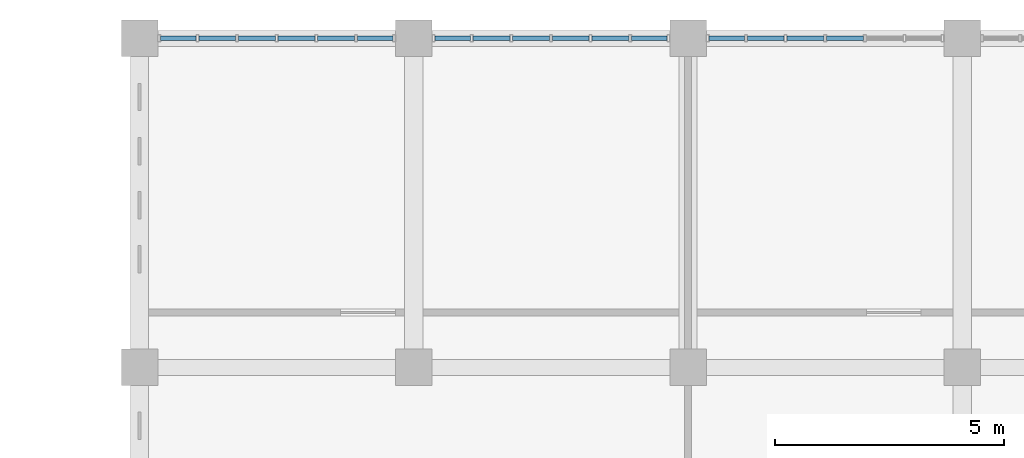
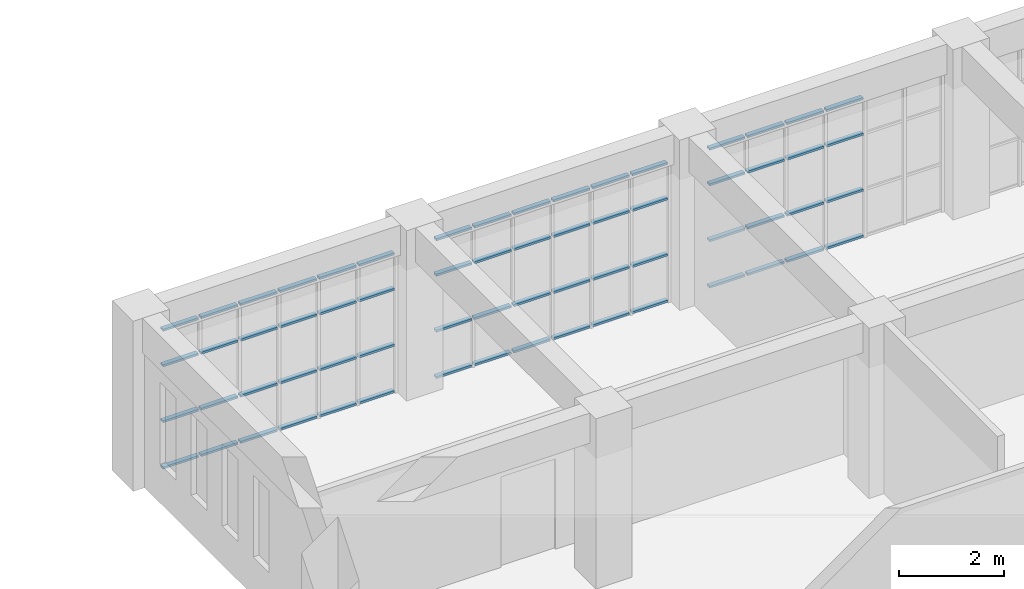
# One storey, part 27 of 51: 64 members, 3 elements without a shape of their own.
"""IFC4 building model written with IfcOpenShell, lengths in metres."""

from ifc_helpers import new_model, si_unit, direction, frame, origin, origin_2d, place, context, subcontext, project, spatial, hollow_rectangle, extrude, material, material_profile, profile_set, type_object, element, aggregate, save


model = new_model("IFC4")

# Units and contexts
model_context = context("Model", 3, precision=1e-05, world=origin(), true_north=direction((0.0, 1.0)))
body_context = subcontext(model_context, "Body", "Model", "MODEL_VIEW")
ifc_project = project(units=[si_unit("LENGTHUNIT", "METRE"), si_unit("AREAUNIT", "SQUARE_METRE"), si_unit("VOLUMEUNIT", "CUBIC_METRE"), si_unit("PLANEANGLEUNIT", "RADIAN"), si_unit("MASSUNIT", "GRAM", prefix="KILO")], contexts=[model_context])

# Site, building, storey
site_placement = place(None, origin())
site = spatial("IfcSite", under=ifc_project, at=site_placement, CompositionType="ELEMENT")
building_placement = place(site_placement, origin())
building = spatial("IfcBuilding", under=site, at=building_placement, Name="Laocheng Heights Fire and Rescue Headquarters", CompositionType="ELEMENT")
storey_placement = place(building_placement, frame((0.0, 0.0, 21.0)))
storey = spatial("IfcBuildingStorey", under=building, at=storey_placement, Name="L05", CompositionType="ELEMENT", Elevation=21.0)

# Curtain wall, members
ifc_material_1 = material(Name="Dark anodised aluminium unitised curtain wall, low-e double glazing", Category="aluminium")
curtain_wall_type = type_object("IfcCurtainWallType", Name="CW 5200 x 3250 HQ NORTH GLAZING", PredefinedType="NOTDEFINED", material=ifc_material_1)
curtain_wall_1_placement = place(storey_placement, origin())
curtain_wall_1 = element("IfcCurtainWall", 1, at=curtain_wall_1_placement, inside=storey, type_object=curtain_wall_type, Name="X26-X HQ NORTH L05", PredefinedType="NOTDEFINED")
ifc_material_2 = material(Name="Dark anodised aluminium 6063-T5 extrusion", Category="aluminium")
ifc_material_profile = material_profile(ifc_material_2, hollow_rectangle(XDim=0.10009765625, YDim=0.050048828125, WallThickness=0.0029296875, at=origin_2d()), Name="AL TRANSOM 100x50x3 HQ NORTH GLAZING")
ifc_profile_set = profile_set([ifc_material_profile], Name="Dark anodised aluminium 6063-T5 extrusion")
member_type = type_object("IfcMemberType", Name="AL TRANSOM 100x50x3 HQ NORTH GLAZING", PredefinedType="USERDEFINED", material=ifc_profile_set)
member_1_placement = place(storey_placement, frame((36.4599609375, 72.0, 0.02490234375), z_axis=(1.0, 0.0, 0.0), x_axis=(0.0, 1.0, 0.0)))
member_1 = element("IfcMember", 2, at=member_1_placement, type_object=member_type, Name="X26-X transom 1.1", ObjectType="TRANSOM", PredefinedType="USERDEFINED", context=body_context, shape_type="SweptSolid", body=[
    extrude(hollow_rectangle(XDim=0.10009765625, YDim=0.050048828125, WallThickness=0.0029296875, at=origin_2d()), origin(), (0.0, 0.0, 1.0), 0.776611328125),
])
member_2_placement = place(storey_placement, frame((36.4599609375, 72.0, 1.10009765625), z_axis=(1.0, 0.0, 0.0), x_axis=(0.0, 1.0, 0.0)))
member_2 = element("IfcMember", 3, at=member_2_placement, type_object=member_type, Name="X26-X transom 1.2", ObjectType="TRANSOM", PredefinedType="USERDEFINED", context=body_context, shape_type="SweptSolid", body=[
    extrude(hollow_rectangle(XDim=0.10009765625, YDim=0.050048828125, WallThickness=0.0029296875, at=origin_2d()), origin(), (0.0, 0.0, 1.0), 0.776611328125),
])
member_3_placement = place(storey_placement, frame((36.4599609375, 72.0, 2.39990234375), z_axis=(1.0, 0.0, 0.0), x_axis=(0.0, 1.0, 0.0)))
member_3 = element("IfcMember", 4, at=member_3_placement, type_object=member_type, Name="X26-X transom 1.3", ObjectType="TRANSOM", PredefinedType="USERDEFINED", context=body_context, shape_type="SweptSolid", body=[
    extrude(hollow_rectangle(XDim=0.10009765625, YDim=0.050048828125, WallThickness=0.0029296875, at=origin_2d()), origin(), (0.0, 0.0, 1.0), 0.776611328125),
])
member_4_placement = place(storey_placement, frame((36.4599609375, 72.0, 3.22509765625), z_axis=(1.0, 0.0, 0.0), x_axis=(0.0, 1.0, 0.0)))
member_4 = element("IfcMember", 5, at=member_4_placement, type_object=member_type, Name="X26-X transom 1.4", ObjectType="TRANSOM", PredefinedType="USERDEFINED", context=body_context, shape_type="SweptSolid", body=[
    extrude(hollow_rectangle(XDim=0.10009765625, YDim=0.050048828125, WallThickness=0.0029296875, at=origin_2d()), origin(), (0.0, 0.0, 1.0), 0.776611328125),
])
member_5_placement = place(storey_placement, frame((37.296630859375, 72.0, 0.02490234375), z_axis=(1.0, 0.0, 0.0), x_axis=(0.0, 1.0, 0.0)))
member_5 = element("IfcMember", 6, at=member_5_placement, type_object=member_type, Name="X26-X transom 2.1", ObjectType="TRANSOM", PredefinedType="USERDEFINED", context=body_context, shape_type="SweptSolid", body=[
    extrude(hollow_rectangle(XDim=0.10009765625, YDim=0.050048828125, WallThickness=0.0029296875, at=origin_2d()), origin(), (0.0, 0.0, 1.0), 0.806640625),
])
member_6_placement = place(storey_placement, frame((37.296630859375, 72.0, 1.10009765625), z_axis=(1.0, 0.0, 0.0), x_axis=(0.0, 1.0, 0.0)))
member_6 = element("IfcMember", 7, at=member_6_placement, type_object=member_type, Name="X26-X transom 2.2", ObjectType="TRANSOM", PredefinedType="USERDEFINED", context=body_context, shape_type="SweptSolid", body=[
    extrude(hollow_rectangle(XDim=0.10009765625, YDim=0.050048828125, WallThickness=0.0029296875, at=origin_2d()), origin(), (0.0, 0.0, 1.0), 0.806640625),
])
member_7_placement = place(storey_placement, frame((37.296630859375, 72.0, 2.39990234375), z_axis=(1.0, 0.0, 0.0), x_axis=(0.0, 1.0, 0.0)))
member_7 = element("IfcMember", 8, at=member_7_placement, type_object=member_type, Name="X26-X transom 2.3", ObjectType="TRANSOM", PredefinedType="USERDEFINED", context=body_context, shape_type="SweptSolid", body=[
    extrude(hollow_rectangle(XDim=0.10009765625, YDim=0.050048828125, WallThickness=0.0029296875, at=origin_2d()), origin(), (0.0, 0.0, 1.0), 0.806640625),
])
member_8_placement = place(storey_placement, frame((37.296630859375, 72.0, 3.22509765625), z_axis=(1.0, 0.0, 0.0), x_axis=(0.0, 1.0, 0.0)))
member_8 = element("IfcMember", 9, at=member_8_placement, type_object=member_type, Name="X26-X transom 2.4", ObjectType="TRANSOM", PredefinedType="USERDEFINED", context=body_context, shape_type="SweptSolid", body=[
    extrude(hollow_rectangle(XDim=0.10009765625, YDim=0.050048828125, WallThickness=0.0029296875, at=origin_2d()), origin(), (0.0, 0.0, 1.0), 0.806640625),
])
member_9_placement = place(storey_placement, frame((38.163330078125, 72.0, 0.02490234375), z_axis=(1.0, 0.0, 0.0), x_axis=(0.0, 1.0, 0.0)))
member_9 = element("IfcMember", 10, at=member_9_placement, type_object=member_type, Name="X26-X transom 3.1", ObjectType="TRANSOM", PredefinedType="USERDEFINED", context=body_context, shape_type="SweptSolid", body=[
    extrude(hollow_rectangle(XDim=0.10009765625, YDim=0.050048828125, WallThickness=0.0029296875, at=origin_2d()), origin(), (0.0, 0.0, 1.0), 0.806640625),
])
member_10_placement = place(storey_placement, frame((38.163330078125, 72.0, 1.10009765625), z_axis=(1.0, 0.0, 0.0), x_axis=(0.0, 1.0, 0.0)))
member_10 = element("IfcMember", 11, at=member_10_placement, type_object=member_type, Name="X26-X transom 3.2", ObjectType="TRANSOM", PredefinedType="USERDEFINED", context=body_context, shape_type="SweptSolid", body=[
    extrude(hollow_rectangle(XDim=0.10009765625, YDim=0.050048828125, WallThickness=0.0029296875, at=origin_2d()), origin(), (0.0, 0.0, 1.0), 0.806640625),
])
member_11_placement = place(storey_placement, frame((38.163330078125, 72.0, 2.39990234375), z_axis=(1.0, 0.0, 0.0), x_axis=(0.0, 1.0, 0.0)))
member_11 = element("IfcMember", 12, at=member_11_placement, type_object=member_type, Name="X26-X transom 3.3", ObjectType="TRANSOM", PredefinedType="USERDEFINED", context=body_context, shape_type="SweptSolid", body=[
    extrude(hollow_rectangle(XDim=0.10009765625, YDim=0.050048828125, WallThickness=0.0029296875, at=origin_2d()), origin(), (0.0, 0.0, 1.0), 0.806640625),
])
member_12_placement = place(storey_placement, frame((38.163330078125, 72.0, 3.22509765625), z_axis=(1.0, 0.0, 0.0), x_axis=(0.0, 1.0, 0.0)))
member_12 = element("IfcMember", 13, at=member_12_placement, type_object=member_type, Name="X26-X transom 3.4", ObjectType="TRANSOM", PredefinedType="USERDEFINED", context=body_context, shape_type="SweptSolid", body=[
    extrude(hollow_rectangle(XDim=0.10009765625, YDim=0.050048828125, WallThickness=0.0029296875, at=origin_2d()), origin(), (0.0, 0.0, 1.0), 0.806640625),
])
member_13_placement = place(storey_placement, frame((39.030029296875, 72.0, 0.02490234375), z_axis=(1.0, 0.0, 0.0), x_axis=(0.0, 1.0, 0.0)))
member_13 = element("IfcMember", 14, at=member_13_placement, type_object=member_type, Name="X26-X transom 4.1", ObjectType="TRANSOM", PredefinedType="USERDEFINED", context=body_context, shape_type="SweptSolid", body=[
    extrude(hollow_rectangle(XDim=0.10009765625, YDim=0.050048828125, WallThickness=0.0029296875, at=origin_2d()), origin(), (0.0, 0.0, 1.0), 0.806640625),
])
member_14_placement = place(storey_placement, frame((39.030029296875, 72.0, 1.10009765625), z_axis=(1.0, 0.0, 0.0), x_axis=(0.0, 1.0, 0.0)))
member_14 = element("IfcMember", 15, at=member_14_placement, type_object=member_type, Name="X26-X transom 4.2", ObjectType="TRANSOM", PredefinedType="USERDEFINED", context=body_context, shape_type="SweptSolid", body=[
    extrude(hollow_rectangle(XDim=0.10009765625, YDim=0.050048828125, WallThickness=0.0029296875, at=origin_2d()), origin(), (0.0, 0.0, 1.0), 0.806640625),
])
member_15_placement = place(storey_placement, frame((39.030029296875, 72.0, 2.39990234375), z_axis=(1.0, 0.0, 0.0), x_axis=(0.0, 1.0, 0.0)))
member_15 = element("IfcMember", 16, at=member_15_placement, type_object=member_type, Name="X26-X transom 4.3", ObjectType="TRANSOM", PredefinedType="USERDEFINED", context=body_context, shape_type="SweptSolid", body=[
    extrude(hollow_rectangle(XDim=0.10009765625, YDim=0.050048828125, WallThickness=0.0029296875, at=origin_2d()), origin(), (0.0, 0.0, 1.0), 0.806640625),
])
member_16_placement = place(storey_placement, frame((39.030029296875, 72.0, 3.22509765625), z_axis=(1.0, 0.0, 0.0), x_axis=(0.0, 1.0, 0.0)))
member_16 = element("IfcMember", 17, at=member_16_placement, type_object=member_type, Name="X26-X transom 4.4", ObjectType="TRANSOM", PredefinedType="USERDEFINED", context=body_context, shape_type="SweptSolid", body=[
    extrude(hollow_rectangle(XDim=0.10009765625, YDim=0.050048828125, WallThickness=0.0029296875, at=origin_2d()), origin(), (0.0, 0.0, 1.0), 0.806640625),
])
member_17_placement = place(storey_placement, frame((39.896728515625, 72.0, 0.02490234375), z_axis=(1.0, 0.0, 0.0), x_axis=(0.0, 1.0, 0.0)))
member_17 = element("IfcMember", 18, at=member_17_placement, type_object=member_type, Name="X26-X transom 5.1", ObjectType="TRANSOM", PredefinedType="USERDEFINED", context=body_context, shape_type="SweptSolid", body=[
    extrude(hollow_rectangle(XDim=0.10009765625, YDim=0.050048828125, WallThickness=0.0029296875, at=origin_2d()), origin(), (0.0, 0.0, 1.0), 0.806640625),
])
member_18_placement = place(storey_placement, frame((39.896728515625, 72.0, 1.10009765625), z_axis=(1.0, 0.0, 0.0), x_axis=(0.0, 1.0, 0.0)))
member_18 = element("IfcMember", 19, at=member_18_placement, type_object=member_type, Name="X26-X transom 5.2", ObjectType="TRANSOM", PredefinedType="USERDEFINED", context=body_context, shape_type="SweptSolid", body=[
    extrude(hollow_rectangle(XDim=0.10009765625, YDim=0.050048828125, WallThickness=0.0029296875, at=origin_2d()), origin(), (0.0, 0.0, 1.0), 0.806640625),
])
member_19_placement = place(storey_placement, frame((39.896728515625, 72.0, 2.39990234375), z_axis=(1.0, 0.0, 0.0), x_axis=(0.0, 1.0, 0.0)))
member_19 = element("IfcMember", 20, at=member_19_placement, type_object=member_type, Name="X26-X transom 5.3", ObjectType="TRANSOM", PredefinedType="USERDEFINED", context=body_context, shape_type="SweptSolid", body=[
    extrude(hollow_rectangle(XDim=0.10009765625, YDim=0.050048828125, WallThickness=0.0029296875, at=origin_2d()), origin(), (0.0, 0.0, 1.0), 0.806640625),
])
member_20_placement = place(storey_placement, frame((39.896728515625, 72.0, 3.22509765625), z_axis=(1.0, 0.0, 0.0), x_axis=(0.0, 1.0, 0.0)))
member_20 = element("IfcMember", 21, at=member_20_placement, type_object=member_type, Name="X26-X transom 5.4", ObjectType="TRANSOM", PredefinedType="USERDEFINED", context=body_context, shape_type="SweptSolid", body=[
    extrude(hollow_rectangle(XDim=0.10009765625, YDim=0.050048828125, WallThickness=0.0029296875, at=origin_2d()), origin(), (0.0, 0.0, 1.0), 0.806640625),
])
member_21_placement = place(storey_placement, frame((40.763427734375, 72.0, 0.02490234375), z_axis=(1.0, 0.0, 0.0), x_axis=(0.0, 1.0, 0.0)))
member_21 = element("IfcMember", 22, at=member_21_placement, type_object=member_type, Name="X26-X transom 6.1", ObjectType="TRANSOM", PredefinedType="USERDEFINED", context=body_context, shape_type="SweptSolid", body=[
    extrude(hollow_rectangle(XDim=0.10009765625, YDim=0.050048828125, WallThickness=0.0029296875, at=origin_2d()), origin(), (0.0, 0.0, 1.0), 0.776611328125),
])
member_22_placement = place(storey_placement, frame((40.763427734375, 72.0, 1.10009765625), z_axis=(1.0, 0.0, 0.0), x_axis=(0.0, 1.0, 0.0)))
member_22 = element("IfcMember", 23, at=member_22_placement, type_object=member_type, Name="X26-X transom 6.2", ObjectType="TRANSOM", PredefinedType="USERDEFINED", context=body_context, shape_type="SweptSolid", body=[
    extrude(hollow_rectangle(XDim=0.10009765625, YDim=0.050048828125, WallThickness=0.0029296875, at=origin_2d()), origin(), (0.0, 0.0, 1.0), 0.776611328125),
])
member_23_placement = place(storey_placement, frame((40.763427734375, 72.0, 2.39990234375), z_axis=(1.0, 0.0, 0.0), x_axis=(0.0, 1.0, 0.0)))
member_23 = element("IfcMember", 24, at=member_23_placement, type_object=member_type, Name="X26-X transom 6.3", ObjectType="TRANSOM", PredefinedType="USERDEFINED", context=body_context, shape_type="SweptSolid", body=[
    extrude(hollow_rectangle(XDim=0.10009765625, YDim=0.050048828125, WallThickness=0.0029296875, at=origin_2d()), origin(), (0.0, 0.0, 1.0), 0.776611328125),
])
member_24_placement = place(storey_placement, frame((40.763427734375, 72.0, 3.22509765625), z_axis=(1.0, 0.0, 0.0), x_axis=(0.0, 1.0, 0.0)))
member_24 = element("IfcMember", 25, at=member_24_placement, type_object=member_type, Name="X26-X transom 6.4", ObjectType="TRANSOM", PredefinedType="USERDEFINED", context=body_context, shape_type="SweptSolid", body=[
    extrude(hollow_rectangle(XDim=0.10009765625, YDim=0.050048828125, WallThickness=0.0029296875, at=origin_2d()), origin(), (0.0, 0.0, 1.0), 0.776611328125),
])
aggregate(curtain_wall_1, [member_1, member_2, member_3, member_4, member_5, member_6, member_7, member_8, member_9, member_10, member_11, member_12, member_13, member_14, member_15, member_16, member_17, member_18, member_19, member_20, member_21, member_22, member_23, member_24])

curtain_wall_2_placement = place(storey_placement, origin())
curtain_wall_2 = element("IfcCurtainWall", 26, at=curtain_wall_2_placement, inside=storey, type_object=curtain_wall_type, Name="X26-X HQ NORTH L05", PredefinedType="NOTDEFINED")
member_25_placement = place(storey_placement, frame((42.4599609375, 72.0, 0.02490234375), z_axis=(1.0, 0.0, 0.0), x_axis=(0.0, 1.0, 0.0)))
member_25 = element("IfcMember", 27, at=member_25_placement, type_object=member_type, Name="X26-X transom 1.1", ObjectType="TRANSOM", PredefinedType="USERDEFINED", context=body_context, shape_type="SweptSolid", body=[
    extrude(hollow_rectangle(XDim=0.10009765625, YDim=0.050048828125, WallThickness=0.0029296875, at=origin_2d()), origin(), (0.0, 0.0, 1.0), 0.776611328125),
])
member_26_placement = place(storey_placement, frame((42.4599609375, 72.0, 1.10009765625), z_axis=(1.0, 0.0, 0.0), x_axis=(0.0, 1.0, 0.0)))
member_26 = element("IfcMember", 28, at=member_26_placement, type_object=member_type, Name="X26-X transom 1.2", ObjectType="TRANSOM", PredefinedType="USERDEFINED", context=body_context, shape_type="SweptSolid", body=[
    extrude(hollow_rectangle(XDim=0.10009765625, YDim=0.050048828125, WallThickness=0.0029296875, at=origin_2d()), origin(), (0.0, 0.0, 1.0), 0.776611328125),
])
member_27_placement = place(storey_placement, frame((42.4599609375, 72.0, 2.39990234375), z_axis=(1.0, 0.0, 0.0), x_axis=(0.0, 1.0, 0.0)))
member_27 = element("IfcMember", 29, at=member_27_placement, type_object=member_type, Name="X26-X transom 1.3", ObjectType="TRANSOM", PredefinedType="USERDEFINED", context=body_context, shape_type="SweptSolid", body=[
    extrude(hollow_rectangle(XDim=0.10009765625, YDim=0.050048828125, WallThickness=0.0029296875, at=origin_2d()), origin(), (0.0, 0.0, 1.0), 0.776611328125),
])
member_28_placement = place(storey_placement, frame((42.4599609375, 72.0, 3.22509765625), z_axis=(1.0, 0.0, 0.0), x_axis=(0.0, 1.0, 0.0)))
member_28 = element("IfcMember", 30, at=member_28_placement, type_object=member_type, Name="X26-X transom 1.4", ObjectType="TRANSOM", PredefinedType="USERDEFINED", context=body_context, shape_type="SweptSolid", body=[
    extrude(hollow_rectangle(XDim=0.10009765625, YDim=0.050048828125, WallThickness=0.0029296875, at=origin_2d()), origin(), (0.0, 0.0, 1.0), 0.776611328125),
])
member_29_placement = place(storey_placement, frame((43.296630859375, 72.0, 0.02490234375), z_axis=(1.0, 0.0, 0.0), x_axis=(0.0, 1.0, 0.0)))
member_29 = element("IfcMember", 31, at=member_29_placement, type_object=member_type, Name="X26-X transom 2.1", ObjectType="TRANSOM", PredefinedType="USERDEFINED", context=body_context, shape_type="SweptSolid", body=[
    extrude(hollow_rectangle(XDim=0.10009765625, YDim=0.050048828125, WallThickness=0.0029296875, at=origin_2d()), origin(), (0.0, 0.0, 1.0), 0.806640625),
])
member_30_placement = place(storey_placement, frame((43.296630859375, 72.0, 1.10009765625), z_axis=(1.0, 0.0, 0.0), x_axis=(0.0, 1.0, 0.0)))
member_30 = element("IfcMember", 32, at=member_30_placement, type_object=member_type, Name="X26-X transom 2.2", ObjectType="TRANSOM", PredefinedType="USERDEFINED", context=body_context, shape_type="SweptSolid", body=[
    extrude(hollow_rectangle(XDim=0.10009765625, YDim=0.050048828125, WallThickness=0.0029296875, at=origin_2d()), origin(), (0.0, 0.0, 1.0), 0.806640625),
])
member_31_placement = place(storey_placement, frame((43.296630859375, 72.0, 2.39990234375), z_axis=(1.0, 0.0, 0.0), x_axis=(0.0, 1.0, 0.0)))
member_31 = element("IfcMember", 33, at=member_31_placement, type_object=member_type, Name="X26-X transom 2.3", ObjectType="TRANSOM", PredefinedType="USERDEFINED", context=body_context, shape_type="SweptSolid", body=[
    extrude(hollow_rectangle(XDim=0.10009765625, YDim=0.050048828125, WallThickness=0.0029296875, at=origin_2d()), origin(), (0.0, 0.0, 1.0), 0.806640625),
])
member_32_placement = place(storey_placement, frame((43.296630859375, 72.0, 3.22509765625), z_axis=(1.0, 0.0, 0.0), x_axis=(0.0, 1.0, 0.0)))
member_32 = element("IfcMember", 34, at=member_32_placement, type_object=member_type, Name="X26-X transom 2.4", ObjectType="TRANSOM", PredefinedType="USERDEFINED", context=body_context, shape_type="SweptSolid", body=[
    extrude(hollow_rectangle(XDim=0.10009765625, YDim=0.050048828125, WallThickness=0.0029296875, at=origin_2d()), origin(), (0.0, 0.0, 1.0), 0.806640625),
])
member_33_placement = place(storey_placement, frame((44.163330078125, 72.0, 0.02490234375), z_axis=(1.0, 0.0, 0.0), x_axis=(0.0, 1.0, 0.0)))
member_33 = element("IfcMember", 35, at=member_33_placement, type_object=member_type, Name="X26-X transom 3.1", ObjectType="TRANSOM", PredefinedType="USERDEFINED", context=body_context, shape_type="SweptSolid", body=[
    extrude(hollow_rectangle(XDim=0.10009765625, YDim=0.050048828125, WallThickness=0.0029296875, at=origin_2d()), origin(), (0.0, 0.0, 1.0), 0.806640625),
])
member_34_placement = place(storey_placement, frame((44.163330078125, 72.0, 1.10009765625), z_axis=(1.0, 0.0, 0.0), x_axis=(0.0, 1.0, 0.0)))
member_34 = element("IfcMember", 36, at=member_34_placement, type_object=member_type, Name="X26-X transom 3.2", ObjectType="TRANSOM", PredefinedType="USERDEFINED", context=body_context, shape_type="SweptSolid", body=[
    extrude(hollow_rectangle(XDim=0.10009765625, YDim=0.050048828125, WallThickness=0.0029296875, at=origin_2d()), origin(), (0.0, 0.0, 1.0), 0.806640625),
])
member_35_placement = place(storey_placement, frame((44.163330078125, 72.0, 2.39990234375), z_axis=(1.0, 0.0, 0.0), x_axis=(0.0, 1.0, 0.0)))
member_35 = element("IfcMember", 37, at=member_35_placement, type_object=member_type, Name="X26-X transom 3.3", ObjectType="TRANSOM", PredefinedType="USERDEFINED", context=body_context, shape_type="SweptSolid", body=[
    extrude(hollow_rectangle(XDim=0.10009765625, YDim=0.050048828125, WallThickness=0.0029296875, at=origin_2d()), origin(), (0.0, 0.0, 1.0), 0.806640625),
])
member_36_placement = place(storey_placement, frame((44.163330078125, 72.0, 3.22509765625), z_axis=(1.0, 0.0, 0.0), x_axis=(0.0, 1.0, 0.0)))
member_36 = element("IfcMember", 38, at=member_36_placement, type_object=member_type, Name="X26-X transom 3.4", ObjectType="TRANSOM", PredefinedType="USERDEFINED", context=body_context, shape_type="SweptSolid", body=[
    extrude(hollow_rectangle(XDim=0.10009765625, YDim=0.050048828125, WallThickness=0.0029296875, at=origin_2d()), origin(), (0.0, 0.0, 1.0), 0.806640625),
])
member_37_placement = place(storey_placement, frame((45.030029296875, 72.0, 0.02490234375), z_axis=(1.0, 0.0, 0.0), x_axis=(0.0, 1.0, 0.0)))
member_37 = element("IfcMember", 39, at=member_37_placement, type_object=member_type, Name="X26-X transom 4.1", ObjectType="TRANSOM", PredefinedType="USERDEFINED", context=body_context, shape_type="SweptSolid", body=[
    extrude(hollow_rectangle(XDim=0.10009765625, YDim=0.050048828125, WallThickness=0.0029296875, at=origin_2d()), origin(), (0.0, 0.0, 1.0), 0.806640625),
])
member_38_placement = place(storey_placement, frame((45.030029296875, 72.0, 1.10009765625), z_axis=(1.0, 0.0, 0.0), x_axis=(0.0, 1.0, 0.0)))
member_38 = element("IfcMember", 40, at=member_38_placement, type_object=member_type, Name="X26-X transom 4.2", ObjectType="TRANSOM", PredefinedType="USERDEFINED", context=body_context, shape_type="SweptSolid", body=[
    extrude(hollow_rectangle(XDim=0.10009765625, YDim=0.050048828125, WallThickness=0.0029296875, at=origin_2d()), origin(), (0.0, 0.0, 1.0), 0.806640625),
])
member_39_placement = place(storey_placement, frame((45.030029296875, 72.0, 2.39990234375), z_axis=(1.0, 0.0, 0.0), x_axis=(0.0, 1.0, 0.0)))
member_39 = element("IfcMember", 41, at=member_39_placement, type_object=member_type, Name="X26-X transom 4.3", ObjectType="TRANSOM", PredefinedType="USERDEFINED", context=body_context, shape_type="SweptSolid", body=[
    extrude(hollow_rectangle(XDim=0.10009765625, YDim=0.050048828125, WallThickness=0.0029296875, at=origin_2d()), origin(), (0.0, 0.0, 1.0), 0.806640625),
])
member_40_placement = place(storey_placement, frame((45.030029296875, 72.0, 3.22509765625), z_axis=(1.0, 0.0, 0.0), x_axis=(0.0, 1.0, 0.0)))
member_40 = element("IfcMember", 42, at=member_40_placement, type_object=member_type, Name="X26-X transom 4.4", ObjectType="TRANSOM", PredefinedType="USERDEFINED", context=body_context, shape_type="SweptSolid", body=[
    extrude(hollow_rectangle(XDim=0.10009765625, YDim=0.050048828125, WallThickness=0.0029296875, at=origin_2d()), origin(), (0.0, 0.0, 1.0), 0.806640625),
])
member_41_placement = place(storey_placement, frame((45.896728515625, 72.0, 0.02490234375), z_axis=(1.0, 0.0, 0.0), x_axis=(0.0, 1.0, 0.0)))
member_41 = element("IfcMember", 43, at=member_41_placement, type_object=member_type, Name="X26-X transom 5.1", ObjectType="TRANSOM", PredefinedType="USERDEFINED", context=body_context, shape_type="SweptSolid", body=[
    extrude(hollow_rectangle(XDim=0.10009765625, YDim=0.050048828125, WallThickness=0.0029296875, at=origin_2d()), origin(), (0.0, 0.0, 1.0), 0.806640625),
])
member_42_placement = place(storey_placement, frame((45.896728515625, 72.0, 1.10009765625), z_axis=(1.0, 0.0, 0.0), x_axis=(0.0, 1.0, 0.0)))
member_42 = element("IfcMember", 44, at=member_42_placement, type_object=member_type, Name="X26-X transom 5.2", ObjectType="TRANSOM", PredefinedType="USERDEFINED", context=body_context, shape_type="SweptSolid", body=[
    extrude(hollow_rectangle(XDim=0.10009765625, YDim=0.050048828125, WallThickness=0.0029296875, at=origin_2d()), origin(), (0.0, 0.0, 1.0), 0.806640625),
])
member_43_placement = place(storey_placement, frame((45.896728515625, 72.0, 2.39990234375), z_axis=(1.0, 0.0, 0.0), x_axis=(0.0, 1.0, 0.0)))
member_43 = element("IfcMember", 45, at=member_43_placement, type_object=member_type, Name="X26-X transom 5.3", ObjectType="TRANSOM", PredefinedType="USERDEFINED", context=body_context, shape_type="SweptSolid", body=[
    extrude(hollow_rectangle(XDim=0.10009765625, YDim=0.050048828125, WallThickness=0.0029296875, at=origin_2d()), origin(), (0.0, 0.0, 1.0), 0.806640625),
])
member_44_placement = place(storey_placement, frame((45.896728515625, 72.0, 3.22509765625), z_axis=(1.0, 0.0, 0.0), x_axis=(0.0, 1.0, 0.0)))
member_44 = element("IfcMember", 46, at=member_44_placement, type_object=member_type, Name="X26-X transom 5.4", ObjectType="TRANSOM", PredefinedType="USERDEFINED", context=body_context, shape_type="SweptSolid", body=[
    extrude(hollow_rectangle(XDim=0.10009765625, YDim=0.050048828125, WallThickness=0.0029296875, at=origin_2d()), origin(), (0.0, 0.0, 1.0), 0.806640625),
])
member_45_placement = place(storey_placement, frame((46.763427734375, 72.0, 0.02490234375), z_axis=(1.0, 0.0, 0.0), x_axis=(0.0, 1.0, 0.0)))
member_45 = element("IfcMember", 47, at=member_45_placement, type_object=member_type, Name="X26-X transom 6.1", ObjectType="TRANSOM", PredefinedType="USERDEFINED", context=body_context, shape_type="SweptSolid", body=[
    extrude(hollow_rectangle(XDim=0.10009765625, YDim=0.050048828125, WallThickness=0.0029296875, at=origin_2d()), origin(), (0.0, 0.0, 1.0), 0.776611328125),
])
member_46_placement = place(storey_placement, frame((46.763427734375, 72.0, 1.10009765625), z_axis=(1.0, 0.0, 0.0), x_axis=(0.0, 1.0, 0.0)))
member_46 = element("IfcMember", 48, at=member_46_placement, type_object=member_type, Name="X26-X transom 6.2", ObjectType="TRANSOM", PredefinedType="USERDEFINED", context=body_context, shape_type="SweptSolid", body=[
    extrude(hollow_rectangle(XDim=0.10009765625, YDim=0.050048828125, WallThickness=0.0029296875, at=origin_2d()), origin(), (0.0, 0.0, 1.0), 0.776611328125),
])
member_47_placement = place(storey_placement, frame((46.763427734375, 72.0, 2.39990234375), z_axis=(1.0, 0.0, 0.0), x_axis=(0.0, 1.0, 0.0)))
member_47 = element("IfcMember", 49, at=member_47_placement, type_object=member_type, Name="X26-X transom 6.3", ObjectType="TRANSOM", PredefinedType="USERDEFINED", context=body_context, shape_type="SweptSolid", body=[
    extrude(hollow_rectangle(XDim=0.10009765625, YDim=0.050048828125, WallThickness=0.0029296875, at=origin_2d()), origin(), (0.0, 0.0, 1.0), 0.776611328125),
])
member_48_placement = place(storey_placement, frame((46.763427734375, 72.0, 3.22509765625), z_axis=(1.0, 0.0, 0.0), x_axis=(0.0, 1.0, 0.0)))
member_48 = element("IfcMember", 50, at=member_48_placement, type_object=member_type, Name="X26-X transom 6.4", ObjectType="TRANSOM", PredefinedType="USERDEFINED", context=body_context, shape_type="SweptSolid", body=[
    extrude(hollow_rectangle(XDim=0.10009765625, YDim=0.050048828125, WallThickness=0.0029296875, at=origin_2d()), origin(), (0.0, 0.0, 1.0), 0.776611328125),
])
aggregate(curtain_wall_2, [member_25, member_26, member_27, member_28, member_29, member_30, member_31, member_32, member_33, member_34, member_35, member_36, member_37, member_38, member_39, member_40, member_41, member_42, member_43, member_44, member_45, member_46, member_47, member_48])

curtain_wall_3_placement = place(storey_placement, origin())
curtain_wall_3 = element("IfcCurtainWall", 51, at=curtain_wall_3_placement, inside=storey, type_object=curtain_wall_type, Name="X26-X HQ NORTH L05", PredefinedType="NOTDEFINED")
member_49_placement = place(storey_placement, frame((48.4599609375, 72.0, 0.02490234375), z_axis=(1.0, 0.0, 0.0), x_axis=(0.0, 1.0, 0.0)))
member_49 = element("IfcMember", 52, at=member_49_placement, type_object=member_type, Name="X26-X transom 1.1", ObjectType="TRANSOM", PredefinedType="USERDEFINED", context=body_context, shape_type="SweptSolid", body=[
    extrude(hollow_rectangle(XDim=0.10009765625, YDim=0.050048828125, WallThickness=0.0029296875, at=origin_2d()), origin(), (0.0, 0.0, 1.0), 0.776611328125),
])
member_50_placement = place(storey_placement, frame((48.4599609375, 72.0, 1.10009765625), z_axis=(1.0, 0.0, 0.0), x_axis=(0.0, 1.0, 0.0)))
member_50 = element("IfcMember", 53, at=member_50_placement, type_object=member_type, Name="X26-X transom 1.2", ObjectType="TRANSOM", PredefinedType="USERDEFINED", context=body_context, shape_type="SweptSolid", body=[
    extrude(hollow_rectangle(XDim=0.10009765625, YDim=0.050048828125, WallThickness=0.0029296875, at=origin_2d()), origin(), (0.0, 0.0, 1.0), 0.776611328125),
])
member_51_placement = place(storey_placement, frame((48.4599609375, 72.0, 2.39990234375), z_axis=(1.0, 0.0, 0.0), x_axis=(0.0, 1.0, 0.0)))
member_51 = element("IfcMember", 54, at=member_51_placement, type_object=member_type, Name="X26-X transom 1.3", ObjectType="TRANSOM", PredefinedType="USERDEFINED", context=body_context, shape_type="SweptSolid", body=[
    extrude(hollow_rectangle(XDim=0.10009765625, YDim=0.050048828125, WallThickness=0.0029296875, at=origin_2d()), origin(), (0.0, 0.0, 1.0), 0.776611328125),
])
member_52_placement = place(storey_placement, frame((48.4599609375, 72.0, 3.22509765625), z_axis=(1.0, 0.0, 0.0), x_axis=(0.0, 1.0, 0.0)))
member_52 = element("IfcMember", 55, at=member_52_placement, type_object=member_type, Name="X26-X transom 1.4", ObjectType="TRANSOM", PredefinedType="USERDEFINED", context=body_context, shape_type="SweptSolid", body=[
    extrude(hollow_rectangle(XDim=0.10009765625, YDim=0.050048828125, WallThickness=0.0029296875, at=origin_2d()), origin(), (0.0, 0.0, 1.0), 0.776611328125),
])
member_53_placement = place(storey_placement, frame((49.296630859375, 72.0, 0.02490234375), z_axis=(1.0, 0.0, 0.0), x_axis=(0.0, 1.0, 0.0)))
member_53 = element("IfcMember", 56, at=member_53_placement, type_object=member_type, Name="X26-X transom 2.1", ObjectType="TRANSOM", PredefinedType="USERDEFINED", context=body_context, shape_type="SweptSolid", body=[
    extrude(hollow_rectangle(XDim=0.10009765625, YDim=0.050048828125, WallThickness=0.0029296875, at=origin_2d()), origin(), (0.0, 0.0, 1.0), 0.806640625),
])
member_54_placement = place(storey_placement, frame((49.296630859375, 72.0, 1.10009765625), z_axis=(1.0, 0.0, 0.0), x_axis=(0.0, 1.0, 0.0)))
member_54 = element("IfcMember", 57, at=member_54_placement, type_object=member_type, Name="X26-X transom 2.2", ObjectType="TRANSOM", PredefinedType="USERDEFINED", context=body_context, shape_type="SweptSolid", body=[
    extrude(hollow_rectangle(XDim=0.10009765625, YDim=0.050048828125, WallThickness=0.0029296875, at=origin_2d()), origin(), (0.0, 0.0, 1.0), 0.806640625),
])
member_55_placement = place(storey_placement, frame((49.296630859375, 72.0, 2.39990234375), z_axis=(1.0, 0.0, 0.0), x_axis=(0.0, 1.0, 0.0)))
member_55 = element("IfcMember", 58, at=member_55_placement, type_object=member_type, Name="X26-X transom 2.3", ObjectType="TRANSOM", PredefinedType="USERDEFINED", context=body_context, shape_type="SweptSolid", body=[
    extrude(hollow_rectangle(XDim=0.10009765625, YDim=0.050048828125, WallThickness=0.0029296875, at=origin_2d()), origin(), (0.0, 0.0, 1.0), 0.806640625),
])
member_56_placement = place(storey_placement, frame((49.296630859375, 72.0, 3.22509765625), z_axis=(1.0, 0.0, 0.0), x_axis=(0.0, 1.0, 0.0)))
member_56 = element("IfcMember", 59, at=member_56_placement, type_object=member_type, Name="X26-X transom 2.4", ObjectType="TRANSOM", PredefinedType="USERDEFINED", context=body_context, shape_type="SweptSolid", body=[
    extrude(hollow_rectangle(XDim=0.10009765625, YDim=0.050048828125, WallThickness=0.0029296875, at=origin_2d()), origin(), (0.0, 0.0, 1.0), 0.806640625),
])
member_57_placement = place(storey_placement, frame((50.163330078125, 72.0, 0.02490234375), z_axis=(1.0, 0.0, 0.0), x_axis=(0.0, 1.0, 0.0)))
member_57 = element("IfcMember", 60, at=member_57_placement, type_object=member_type, Name="X26-X transom 3.1", ObjectType="TRANSOM", PredefinedType="USERDEFINED", context=body_context, shape_type="SweptSolid", body=[
    extrude(hollow_rectangle(XDim=0.10009765625, YDim=0.050048828125, WallThickness=0.0029296875, at=origin_2d()), origin(), (0.0, 0.0, 1.0), 0.806640625),
])
member_58_placement = place(storey_placement, frame((50.163330078125, 72.0, 1.10009765625), z_axis=(1.0, 0.0, 0.0), x_axis=(0.0, 1.0, 0.0)))
member_58 = element("IfcMember", 61, at=member_58_placement, type_object=member_type, Name="X26-X transom 3.2", ObjectType="TRANSOM", PredefinedType="USERDEFINED", context=body_context, shape_type="SweptSolid", body=[
    extrude(hollow_rectangle(XDim=0.10009765625, YDim=0.050048828125, WallThickness=0.0029296875, at=origin_2d()), origin(), (0.0, 0.0, 1.0), 0.806640625),
])
member_59_placement = place(storey_placement, frame((50.163330078125, 72.0, 2.39990234375), z_axis=(1.0, 0.0, 0.0), x_axis=(0.0, 1.0, 0.0)))
member_59 = element("IfcMember", 62, at=member_59_placement, type_object=member_type, Name="X26-X transom 3.3", ObjectType="TRANSOM", PredefinedType="USERDEFINED", context=body_context, shape_type="SweptSolid", body=[
    extrude(hollow_rectangle(XDim=0.10009765625, YDim=0.050048828125, WallThickness=0.0029296875, at=origin_2d()), origin(), (0.0, 0.0, 1.0), 0.806640625),
])
member_60_placement = place(storey_placement, frame((50.163330078125, 72.0, 3.22509765625), z_axis=(1.0, 0.0, 0.0), x_axis=(0.0, 1.0, 0.0)))
member_60 = element("IfcMember", 63, at=member_60_placement, type_object=member_type, Name="X26-X transom 3.4", ObjectType="TRANSOM", PredefinedType="USERDEFINED", context=body_context, shape_type="SweptSolid", body=[
    extrude(hollow_rectangle(XDim=0.10009765625, YDim=0.050048828125, WallThickness=0.0029296875, at=origin_2d()), origin(), (0.0, 0.0, 1.0), 0.806640625),
])
member_61_placement = place(storey_placement, frame((51.030029296875, 72.0, 0.02490234375), z_axis=(1.0, 0.0, 0.0), x_axis=(0.0, 1.0, 0.0)))
member_61 = element("IfcMember", 64, at=member_61_placement, type_object=member_type, Name="X26-X transom 4.1", ObjectType="TRANSOM", PredefinedType="USERDEFINED", context=body_context, shape_type="SweptSolid", body=[
    extrude(hollow_rectangle(XDim=0.10009765625, YDim=0.050048828125, WallThickness=0.0029296875, at=origin_2d()), origin(), (0.0, 0.0, 1.0), 0.806640625),
])
member_62_placement = place(storey_placement, frame((51.030029296875, 72.0, 1.10009765625), z_axis=(1.0, 0.0, 0.0), x_axis=(0.0, 1.0, 0.0)))
member_62 = element("IfcMember", 65, at=member_62_placement, type_object=member_type, Name="X26-X transom 4.2", ObjectType="TRANSOM", PredefinedType="USERDEFINED", context=body_context, shape_type="SweptSolid", body=[
    extrude(hollow_rectangle(XDim=0.10009765625, YDim=0.050048828125, WallThickness=0.0029296875, at=origin_2d()), origin(), (0.0, 0.0, 1.0), 0.806640625),
])
member_63_placement = place(storey_placement, frame((51.030029296875, 72.0, 2.39990234375), z_axis=(1.0, 0.0, 0.0), x_axis=(0.0, 1.0, 0.0)))
member_63 = element("IfcMember", 66, at=member_63_placement, type_object=member_type, Name="X26-X transom 4.3", ObjectType="TRANSOM", PredefinedType="USERDEFINED", context=body_context, shape_type="SweptSolid", body=[
    extrude(hollow_rectangle(XDim=0.10009765625, YDim=0.050048828125, WallThickness=0.0029296875, at=origin_2d()), origin(), (0.0, 0.0, 1.0), 0.806640625),
])
member_64_placement = place(storey_placement, frame((51.030029296875, 72.0, 3.22509765625), z_axis=(1.0, 0.0, 0.0), x_axis=(0.0, 1.0, 0.0)))
member_64 = element("IfcMember", 67, at=member_64_placement, type_object=member_type, Name="X26-X transom 4.4", ObjectType="TRANSOM", PredefinedType="USERDEFINED", context=body_context, shape_type="SweptSolid", body=[
    extrude(hollow_rectangle(XDim=0.10009765625, YDim=0.050048828125, WallThickness=0.0029296875, at=origin_2d()), origin(), (0.0, 0.0, 1.0), 0.806640625),
])
aggregate(curtain_wall_3, [member_49, member_50, member_51, member_52, member_53, member_54, member_55, member_56, member_57, member_58, member_59, member_60, member_61, member_62, member_63, member_64])

save(model, "model.ifc")
